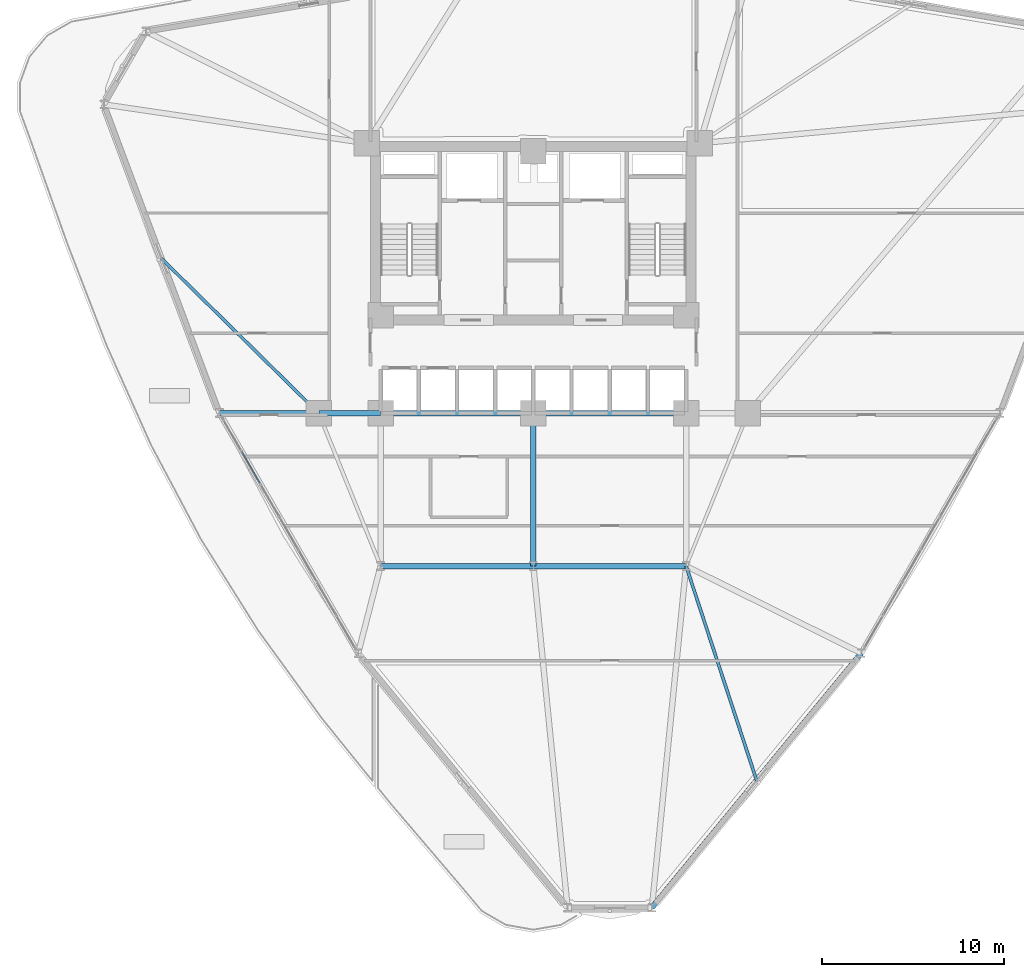
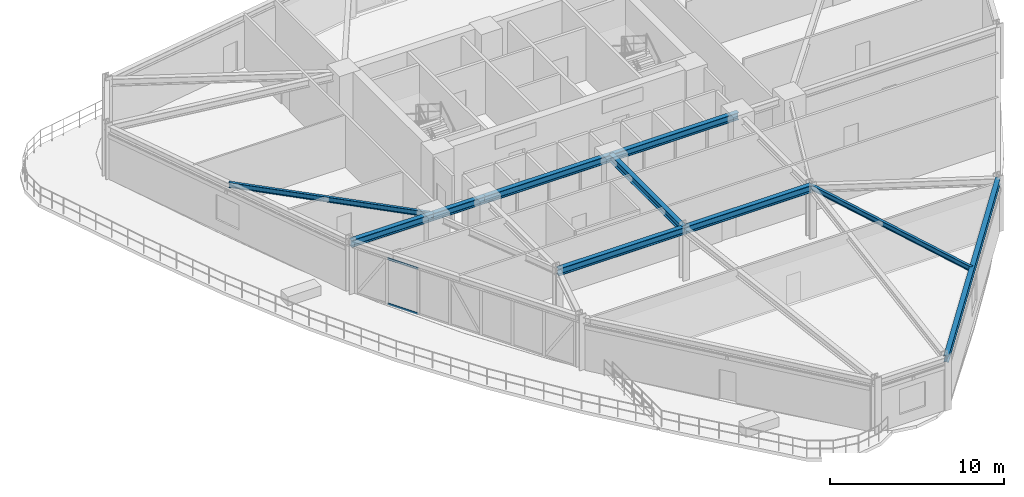
# One storey, part 5 of 21: 10 beams, 2 members, 1 element without a shape of its own.
"""IFC4 building model written with IfcOpenShell, lengths in metres."""

from ifc_helpers import new_model, si_unit, derived_unit, direction, frame, origin, origin_2d, place, context, subcontext, project, spatial, hollow_rectangle, i_section, extrude, source, transform, mapped, material, layer, layer_set, material_profile, profile_set, type_object, element, aggregate, save


model = new_model("IFC4")

# Units and contexts
model_context = context("Model", 3, precision=1e-05, world=origin(), true_north=direction((0.0, 1.0)))
body_context = subcontext(model_context, "Body", "Model", "MODEL_VIEW")
ifc_project = project(units=[si_unit("LENGTHUNIT", "METRE"), si_unit("AREAUNIT", "SQUARE_METRE"), si_unit("VOLUMEUNIT", "CUBIC_METRE"), si_unit("PLANEANGLEUNIT", "RADIAN"), si_unit("MASSUNIT", "GRAM", prefix="KILO"), derived_unit("THERMALTRANSMITTANCEUNIT", [(si_unit("POWERUNIT", "WATT"), 1), (si_unit("LENGTHUNIT", "METRE"), -2), (si_unit("THERMODYNAMICTEMPERATUREUNIT", "KELVIN"), -1)])], contexts=[model_context])

# Site, building, storey
site_placement = place(None, origin())
site = spatial("IfcSite", under=ifc_project, at=site_placement, CompositionType="ELEMENT")
building_placement = place(site_placement, origin())
building = spatial("IfcBuilding", under=site, at=building_placement, Name="Korsvarv Bourse and Concert Hall", CompositionType="ELEMENT")
storey_placement = place(building_placement, frame((0.0, 0.0, 63.89990234375)))
storey = spatial("IfcBuildingStorey", under=building, at=storey_placement, Name="L15", CompositionType="ELEMENT", Elevation=63.89990234375)

# Beams
ifc_material_1 = material(Name="Steel S355", Category="steel")
ifc_material_profile_1 = material_profile(ifc_material_1, i_section(OverallWidth=0.300048828125, OverallDepth=0.5, WebThickness=0.014404296875, FlangeThickness=0.028076171875, FilletRadius=0.02392578125, at=origin_2d()), Name="HEB 500")
ifc_profile_set_1 = profile_set([ifc_material_profile_1], Name="Steel S355")
beam_type_1 = type_object("IfcBeamType", Name="BM-HEB500", PredefinedType="BEAM", material=ifc_profile_set_1)
shared_shape_1 = source(origin(), body_context, "Body", "SweptSolid", [
    extrude(i_section(OverallWidth=0.300048828125, OverallDepth=0.5, WebThickness=0.014404296875, FlangeThickness=0.028076171875, FilletRadius=0.02392578125, at=origin_2d()), origin(), (0.0, 0.0, 1.0), 3.400146484375),
])
beam_1_placement = place(storey_placement, frame((24.199951171875, 32.39990234375, 3.43017578125), z_axis=(1.0, 0.0, 0.0), x_axis=(0.0, 1.0, 0.0)))
element("IfcBeam", 1, at=beam_1_placement, inside=storey, type_object=beam_type_1, Name="L15 beam B-07", PredefinedType="BEAM", context=body_context, shape_type="MappedRepresentation", body=[
    mapped(shared_shape_1, transform((0.0, 0.0, 0.0), scale=1.0)),
])
shared_shape_2 = source(origin(), body_context, "Body", "SweptSolid", [
    extrude(i_section(OverallWidth=0.300048828125, OverallDepth=0.5, WebThickness=0.014404296875, FlangeThickness=0.028076171875, FilletRadius=0.02392578125, at=origin_2d()), origin(), (0.0, 0.0, 1.0), 8.39990234375),
])
for number, where, z_axis, x_axis, name in (
    (2, (27.60009765625, 32.39990234375, 3.43017578125), (1.0, 0.0, 0.0), (0.0, 1.0, 0.0), "L15 beam B-07"),
    (3, (36.0, 32.39990234375, 3.43017578125), (1.0, 0.0, 0.0), (0.0, 1.0, 0.0), "L15 beam B-07"),
    (4, (27.60009765625, 24.0, 3.43017578125), (1.0, 0.0, 0.0), (0.0, 1.0, 0.0), "L15 beam B-07"),
    (5, (36.0, 24.0, 3.43017578125), (1.0, 0.0, 0.0), (0.0, 1.0, 0.0), "L15 beam B-07"),
    (6, (36.0, 24.0, 3.43017578125), (0.0, 1.0, 0.0), (-1.0, 0.0, 0.0), "L15 beam B-07"),
):
    element("IfcBeam", number, at=place(storey_placement, frame(where, z_axis=z_axis, x_axis=x_axis)), inside=storey, type_object=beam_type_1, Name=name, PredefinedType="BEAM", context=body_context, shape_type="MappedRepresentation", body=[
        mapped(shared_shape_2, transform((0.0, 0.0, 0.0), scale=1.0)),
    ])
ifc_material_profile_2 = material_profile(ifc_material_1, i_section(OverallWidth=0.300048828125, OverallDepth=0.449951171875, WebThickness=0.013916015625, FlangeThickness=0.02587890625, FilletRadius=0.02099609375, at=origin_2d()), Name="HEB 450")
ifc_profile_set_2 = profile_set([ifc_material_profile_2], Name="Steel S355")
beam_type_2 = type_object("IfcBeamType", Name="BM-HEB450", PredefinedType="SPANDREL", material=ifc_profile_set_2)
shared_shape_3 = source(origin(), body_context, "Body", "SweptSolid", [
    extrude(i_section(OverallWidth=0.300048828125, OverallDepth=0.449951171875, WebThickness=0.013916015625, FlangeThickness=0.02587890625, FilletRadius=0.02099609375, at=origin_2d()), origin(), (0.0, 0.0, 1.0), 18.117431640625),
])
beam_2_placement = place(storey_placement, frame((42.51904296875, 5.218994140625, 3.455078125), z_axis=(0.635544282578, 0.772064417573, 0.0), x_axis=(-0.772064417573, 0.635544282578, 0.0)))
element("IfcBeam", 7, at=beam_2_placement, inside=storey, type_object=beam_type_2, Name="L15 beam B-08", PredefinedType="SPANDREL", context=body_context, shape_type="MappedRepresentation", body=[
    mapped(shared_shape_3, transform((0.0, 0.0, 0.0), scale=1.0)),
])
shared_shape_4 = source(origin(), body_context, "Body", "SweptSolid", [
    extrude(i_section(OverallWidth=0.300048828125, OverallDepth=0.5, WebThickness=0.014404296875, FlangeThickness=0.028076171875, FilletRadius=0.02392578125, at=origin_2d()), origin(), (0.0, 0.0, 1.0), 5.460205078125),
])
beam_3_placement = place(storey_placement, frame((18.73974609375, 32.41650390625, 3.43017578125), z_axis=(0.999995377818, -0.003040450959, 0.0), x_axis=(0.003040450959, 0.999995377818, 0.0)))
element("IfcBeam", 8, at=beam_3_placement, inside=storey, type_object=beam_type_1, Name="L15 beam B-07", PredefinedType="BEAM", context=body_context, shape_type="MappedRepresentation", body=[
    mapped(shared_shape_4, transform((0.0, 0.0, 0.0), scale=1.0)),
])
ifc_material_profile_3 = material_profile(ifc_material_1, i_section(OverallWidth=0.169921875, OverallDepth=0.360107421875, WebThickness=0.008056640625, FlangeThickness=0.0126953125, FilletRadius=0.01806640625, at=origin_2d()), Name="IPE 360")
ifc_profile_set_3 = profile_set([ifc_material_profile_3], Name="Steel S355")
beam_type_3 = type_object("IfcBeamType", Name="BM-IPE360", PredefinedType="JOIST", material=ifc_profile_set_3)
shared_shape_5 = source(origin(), body_context, "Body", "SweptSolid", [
    extrude(i_section(OverallWidth=0.169921875, OverallDepth=0.360107421875, WebThickness=0.008056640625, FlangeThickness=0.0126953125, FilletRadius=0.01806640625, at=origin_2d()), origin(), (0.0, 0.0, 1.0), 12.11865234375),
])
beam_4_placement = place(storey_placement, frame((15.5615234375, 40.8994140625, 3.5), z_axis=(0.712815001922, -0.701352103465, 0.0), x_axis=(0.701352103465, 0.712815001922, 0.0)))
element("IfcBeam", 9, at=beam_4_placement, inside=storey, type_object=beam_type_3, Name="L15 beam J-06", PredefinedType="JOIST", context=body_context, shape_type="MappedRepresentation", body=[
    mapped(shared_shape_5, transform((0.0, 0.0, 0.0), scale=1.0)),
])
shared_shape_6 = source(origin(), body_context, "Body", "SweptSolid", [
    extrude(i_section(OverallWidth=0.169921875, OverallDepth=0.360107421875, WebThickness=0.008056640625, FlangeThickness=0.0126953125, FilletRadius=0.01806640625, at=origin_2d()), origin(), (0.0, 0.0, 1.0), 12.408203125),
])
beam_5_placement = place(storey_placement, frame((48.276123046875, 12.212890625, 3.5), z_axis=(-0.312394289693, 0.949952529218, 0.0), x_axis=(-0.949952529218, -0.312394289693, 0.0)))
element("IfcBeam", 10, at=beam_5_placement, inside=storey, type_object=beam_type_3, Name="L15 beam J-06", PredefinedType="JOIST", context=body_context, shape_type="MappedRepresentation", body=[
    mapped(shared_shape_6, transform((0.0, 0.0, 0.0), scale=1.0)),
])

# Curtain wall, members
ifc_material_2 = material(Name="Anodised aluminium and triple low-E glazing", Category="glass")
ifc_layer = layer(ifc_material_2, 0.219970703125)
ifc_layer_set = layer_set([ifc_layer], Name="Anodised aluminium and triple low-E glazing")
curtain_wall_type = type_object("IfcCurtainWallType", Name="CW-SYS-1", PredefinedType="NOTDEFINED", material=ifc_layer_set)
curtain_wall_placement = place(storey_placement, origin())
curtain_wall = element("IfcCurtainWall", 11, at=curtain_wall_placement, inside=storey, type_object=curtain_wall_type, Name="L15 CW1 curtain wall CW-L15-F07", PredefinedType="NOTDEFINED")
ifc_material_3 = material(Name="Extruded aluminium EN AW-6063 T66", Category="aluminium")
ifc_material_profile_4 = material_profile(ifc_material_3, hollow_rectangle(XDim=0.06494140625, YDim=0.139892578125, WallThickness=0.00390625, at=origin_2d()), Name="ALU-T 65x140")
ifc_profile_set_4 = profile_set([ifc_material_profile_4], Name="Extruded aluminium EN AW-6063 T66")
member_type = type_object("IfcMemberType", Name="CWT-140", PredefinedType="USERDEFINED", material=ifc_profile_set_4)
shared_shape_7 = source(origin(), body_context, "Body", "SweptSolid", [
    extrude(hollow_rectangle(XDim=0.06494140625, YDim=0.139892578125, WallThickness=0.00390625, at=origin_2d()), origin(), (0.0, 0.0, 1.0), 2.0146484375),
])
member_1_placement = place(storey_placement, frame((19.965087890625, 30.294189453125, 0.03271484375), z_axis=(0.500023174947, -0.866012023309, 0.0), x_axis=(0.866012023309, 0.500023174947, 0.0)))
member_1 = element("IfcMember", 12, at=member_1_placement, type_object=member_type, Name="CW1 transom 2.1", ObjectType="TRANSOM", PredefinedType="USERDEFINED", context=body_context, shape_type="MappedRepresentation", body=[
    mapped(shared_shape_7, transform((0.0, 0.0, 0.0), scale=1.0)),
])
member_2_placement = place(storey_placement, frame((19.965087890625, 30.294189453125, 3.197509765625), z_axis=(0.500023174947, -0.866012023309, 0.0), x_axis=(0.866012023309, 0.500023174947, 0.0)))
member_2 = element("IfcMember", 13, at=member_2_placement, type_object=member_type, Name="CW1 transom 2.2", ObjectType="TRANSOM", PredefinedType="USERDEFINED", context=body_context, shape_type="MappedRepresentation", body=[
    mapped(shared_shape_7, transform((0.0, 0.0, 0.0), scale=1.0)),
])
aggregate(curtain_wall, [member_1, member_2])

save(model, "model.ifc")
